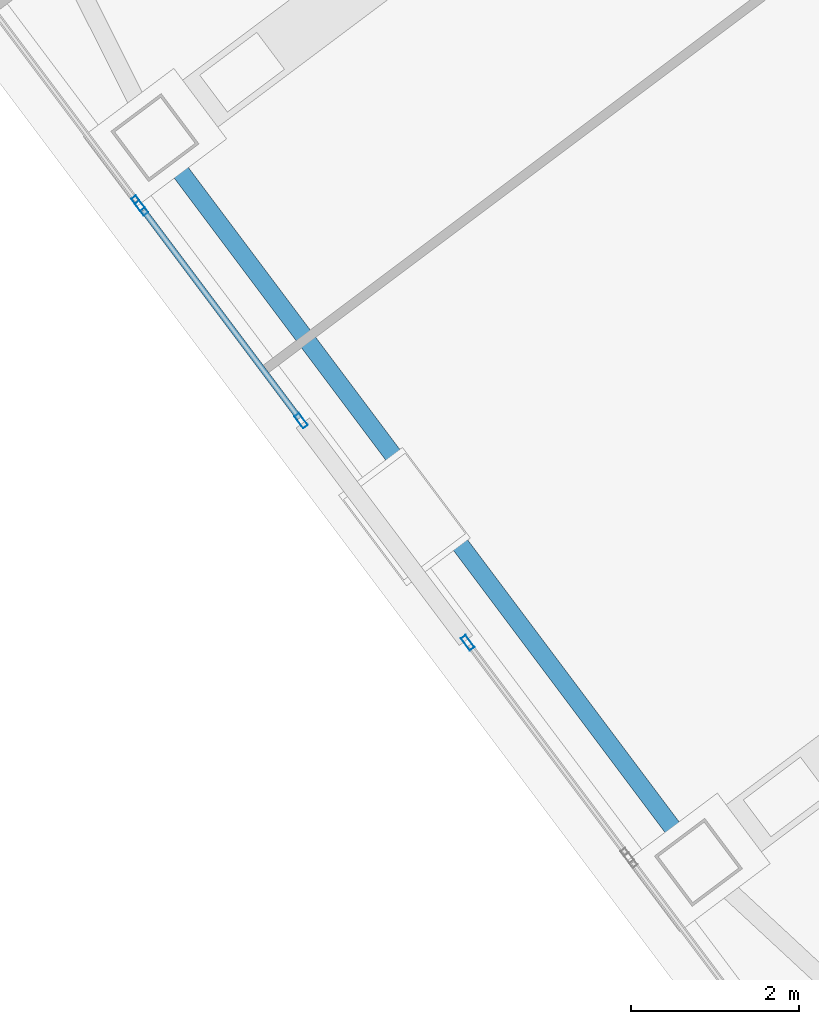
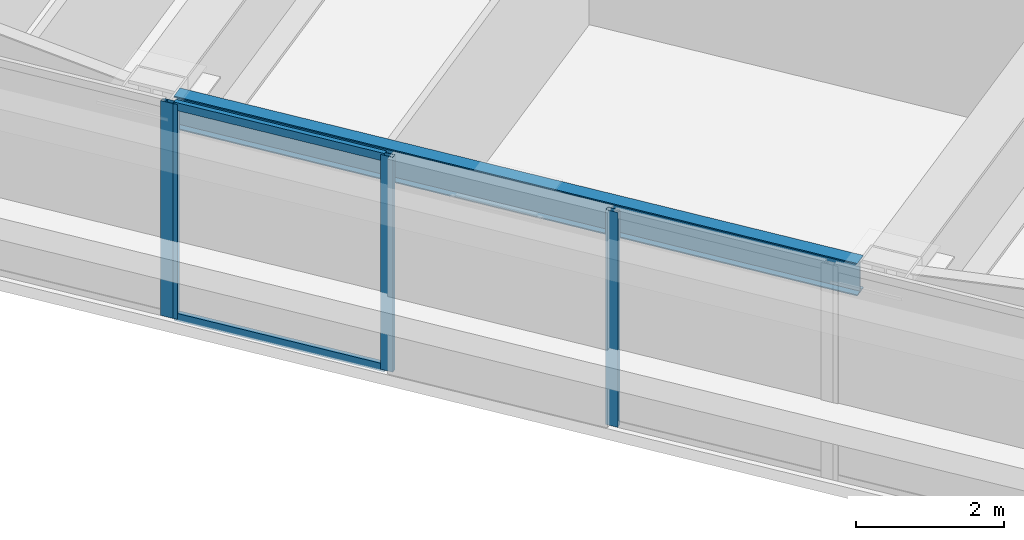
# One storey, part 16 of 42: 6 members, 1 beam, 3 elements without a shape of their own.
"""IFC4 building model written with IfcOpenShell, lengths in metres."""

from ifc_helpers import new_model, si_unit, direction, frame, origin, origin_2d, place, context, subcontext, project, spatial, hollow_rectangle, i_section, extrude, material, material_profile, profile_set, type_object, element, aggregate, save


model = new_model("IFC4")

# Units and contexts
model_context = context("Model", 3, precision=1e-05, world=origin(), true_north=direction((0.0, 1.0)))
body_context = subcontext(model_context, "Body", "Model", "MODEL_VIEW")
ifc_project = project(units=[si_unit("LENGTHUNIT", "METRE"), si_unit("AREAUNIT", "SQUARE_METRE"), si_unit("VOLUMEUNIT", "CUBIC_METRE"), si_unit("PLANEANGLEUNIT", "RADIAN"), si_unit("MASSUNIT", "GRAM", prefix="KILO")], contexts=[model_context])

# Site, building, storey
site_placement = place(None, origin())
site = spatial("IfcSite", under=ifc_project, at=site_placement, CompositionType="ELEMENT")
building_placement = place(site_placement, origin())
building = spatial("IfcBuilding", under=site, at=building_placement, Name="Tashvorn Skyway Center", CompositionType="ELEMENT")
storey_placement = place(building_placement, frame((0.0, 0.0, 196.050048828125)))
storey = spatial("IfcBuildingStorey", under=building, at=storey_placement, Name="L53", CompositionType="ELEMENT", Elevation=196.050048828125)

# Beam
ifc_material_1 = material(Name="Steel ASTM A992 Grade 50", Category="steel")
ifc_material_profile_1 = material_profile(ifc_material_1, i_section(OverallWidth=0.2109375, OverallDepth=0.5390625, WebThickness=0.01171875, FlangeThickness=0.018798828125, at=origin_2d()), Name="W21X73")
ifc_profile_set_1 = profile_set([ifc_material_profile_1], Name="Steel ASTM A992 Grade 50")
beam_type = type_object("IfcBeamType", Name="BM-SPANDREL-W21X73", PredefinedType="SPANDREL", material=ifc_profile_set_1)
beam_placement = place(storey_placement, frame((98.06201171875, 26.333984375, 2.98046875), z_axis=(0.599988351091, -0.800008736549, 0.0), x_axis=(0.800008736549, 0.599988351091, 0.0)))
element("IfcBeam", 1, at=beam_placement, inside=storey, type_object=beam_type, Name="Tower 2 L53 Spandrel Beam 11", PredefinedType="SPANDREL", context=body_context, shape_type="SweptSolid", body=[
    extrude(i_section(OverallWidth=0.2109375, OverallDepth=0.5390625, WebThickness=0.01171875, FlangeThickness=0.018798828125, at=origin_2d()), origin(), (0.0, 0.0, 1.0), 10.06005859375),
])

# Curtain wall, member
ifc_material_2 = material(Name="Thermally broken bronze-anodized aluminium 6063-T6", Category="aluminium")
curtain_wall_type = type_object("IfcCurtainWallType", Name="CW-CW-Z4", PredefinedType="NOTDEFINED", material=ifc_material_2)
curtain_wall_1_placement = place(storey_placement, origin())
curtain_wall_1 = element("IfcCurtainWall", 2, at=curtain_wall_1_placement, inside=storey, type_object=curtain_wall_type, Name="Tower 2 L53 West Unitised Curtain Wall Glazing Group 2", PredefinedType="NOTDEFINED")
ifc_material_profile_2 = material_profile(ifc_material_2, hollow_rectangle(XDim=0.070068359375, YDim=0.179931640625, WallThickness=0.00390625, at=origin_2d()), Name="ALU-MULL-70x180")
ifc_profile_set_2 = profile_set([ifc_material_profile_2], Name="Thermally broken bronze-anodized aluminium 6063-T6")
member_type_1 = type_object("IfcMemberType", Name="CWM-CW-Z4", PredefinedType="MULLION", material=ifc_profile_set_2)
member_1_placement = place(storey_placement, frame((101.569091796875, 20.60791015625, 0.0), z_axis=(0.0, 0.0, 1.0), x_axis=(-0.799999999998, -0.600000000002, 0.0)))
member_1 = element("IfcMember", 3, at=member_1_placement, type_object=member_type_1, Name="CW-Z4 mullion 2", PredefinedType="MULLION", context=body_context, shape_type="SweptSolid", body=[
    extrude(hollow_rectangle(XDim=0.070068359375, YDim=0.179931640625, WallThickness=0.00390625, at=origin_2d()), origin(), (0.0, 0.0, 1.0), 3.550048828125),
])
aggregate(curtain_wall_1, [member_1])

# Curtain wall, members
curtain_wall_2_placement = place(storey_placement, origin())
curtain_wall_2 = element("IfcCurtainWall", 4, at=curtain_wall_2_placement, inside=storey, type_object=curtain_wall_type, Name="Tower 2 L53 West Unitised Curtain Wall Glazing Group 3", PredefinedType="NOTDEFINED")
member_2_placement = place(storey_placement, frame((99.5830078125, 23.256103515625, 0.0), z_axis=(0.0, 0.0, 1.0), x_axis=(-0.799999999998, -0.600000000002, 0.0)))
member_2 = element("IfcMember", 5, at=member_2_placement, type_object=member_type_1, Name="CW-Z4 mullion 1", PredefinedType="MULLION", context=body_context, shape_type="SweptSolid", body=[
    extrude(hollow_rectangle(XDim=0.070068359375, YDim=0.179931640625, WallThickness=0.00390625, at=origin_2d()), origin(), (0.0, 0.0, 1.0), 3.550048828125),
])
member_3_placement = place(storey_placement, frame((97.680908203125, 25.7919921875, 0.0), z_axis=(0.0, 0.0, 1.0), x_axis=(-0.799999999998, -0.600000000002, 0.0)))
member_3 = element("IfcMember", 6, at=member_3_placement, type_object=member_type_1, Name="CW-Z4 mullion 2", PredefinedType="MULLION", context=body_context, shape_type="SweptSolid", body=[
    extrude(hollow_rectangle(XDim=0.070068359375, YDim=0.179931640625, WallThickness=0.00390625, at=origin_2d()), origin(), (0.0, 0.0, 1.0), 3.550048828125),
])

# Curtain wall, member
curtain_wall_3_placement = place(storey_placement, origin())
curtain_wall_3 = element("IfcCurtainWall", 7, at=curtain_wall_3_placement, inside=storey, type_object=curtain_wall_type, Name="Tower 2 L53 West Unitised Curtain Wall Glazing Group 4", PredefinedType="NOTDEFINED")
member_4_placement = place(storey_placement, frame((97.638916015625, 25.847900390625, 0.0), z_axis=(0.0, 0.0, 1.0), x_axis=(-0.799999999998, -0.600000000002, 0.0)))
member_4 = element("IfcMember", 8, at=member_4_placement, type_object=member_type_1, Name="CW-Z4 mullion 1", PredefinedType="MULLION", context=body_context, shape_type="SweptSolid", body=[
    extrude(hollow_rectangle(XDim=0.070068359375, YDim=0.179931640625, WallThickness=0.00390625, at=origin_2d()), origin(), (0.0, 0.0, 1.0), 3.550048828125),
])
aggregate(curtain_wall_3, [member_4])

# Member
ifc_material_profile_3 = material_profile(ifc_material_2, hollow_rectangle(XDim=0.070068359375, YDim=0.1298828125, WallThickness=0.00390625, at=origin_2d()), Name="ALU-TRAN-70x130")
ifc_profile_set_3 = profile_set([ifc_material_profile_3], Name="Thermally broken bronze-anodized aluminium 6063-T6")
member_type_2 = type_object("IfcMemberType", Name="CWT-CW-Z4", PredefinedType="USERDEFINED", material=ifc_profile_set_3)
member_5_placement = place(storey_placement, frame((99.56201171875, 23.283935546875, 0.034912109375), z_axis=(-0.600025200918, 0.799981098691, 0.0), x_axis=(-0.799981098691, -0.600025200918, 0.0)))
member_5 = element("IfcMember", 9, at=member_5_placement, type_object=member_type_2, Name="CW-Z4 transom 1.1", ObjectType="TRANSOM", PredefinedType="USERDEFINED", context=body_context, shape_type="SweptSolid", body=[
    extrude(hollow_rectangle(XDim=0.070068359375, YDim=0.1298828125, WallThickness=0.00390625, at=origin_2d()), origin(), (0.0, 0.0, 1.0), 3.10009765625),
])

member_6_placement = place(storey_placement, frame((99.56201171875, 23.283935546875, 3.514892578125), z_axis=(-0.600025200918, 0.799981098691, 0.0), x_axis=(-0.799981098691, -0.600025200918, 0.0)))
member_6 = element("IfcMember", 10, at=member_6_placement, type_object=member_type_2, Name="CW-Z4 transom 1.2", ObjectType="TRANSOM", PredefinedType="USERDEFINED", context=body_context, shape_type="SweptSolid", body=[
    extrude(hollow_rectangle(XDim=0.070068359375, YDim=0.1298828125, WallThickness=0.00390625, at=origin_2d()), origin(), (0.0, 0.0, 1.0), 3.10009765625),
])

aggregate(curtain_wall_2, [member_2, member_3, member_5, member_6])

save(model, "model.ifc")
